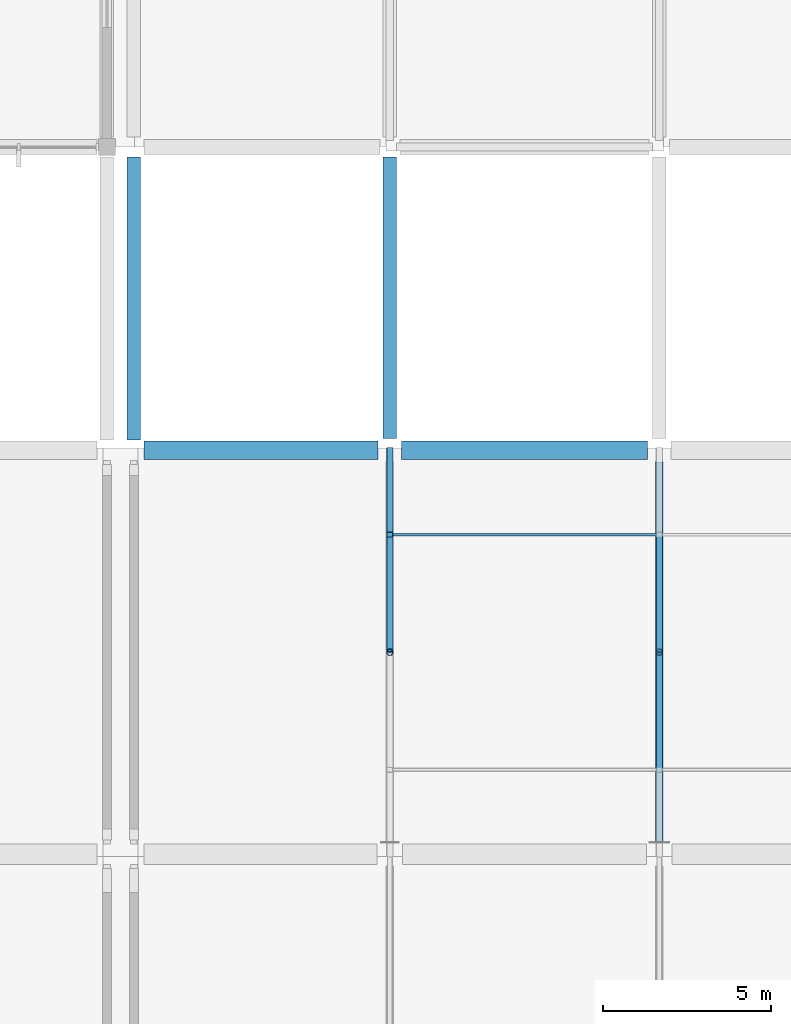
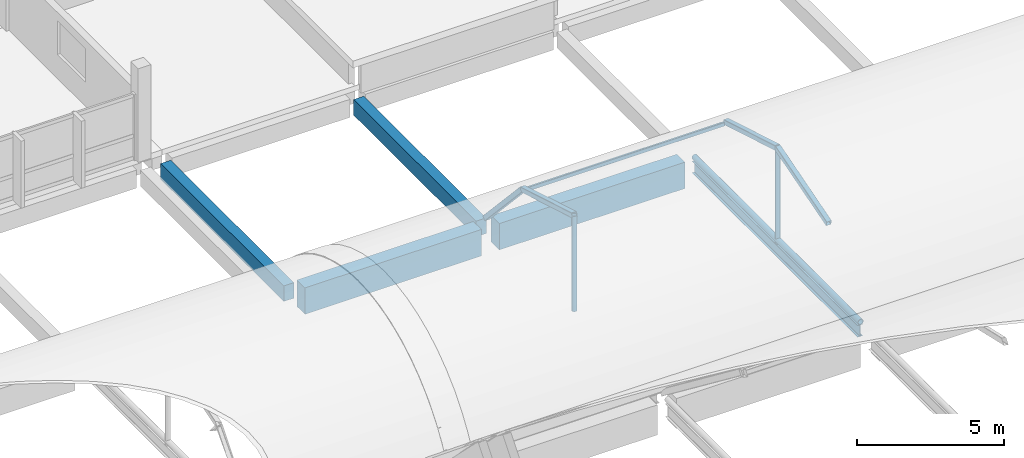
# One storey, part 36 of 57: 8 members, 5 beams.
"""IFC4 building model written with IfcOpenShell, lengths in metres."""

from ifc_helpers import new_model, si_unit, direction, frame, origin, origin_2d, place, context, subcontext, project, spatial, rectangle, hollow_rectangle, hollow_circle, i_section, extrude, material, material_profile, profile_set, type_object, element, save


model = new_model("IFC4")

# Units and contexts
model_context = context("Model", 3, precision=1e-05, world=origin(), true_north=direction((0.0, 1.0)))
body_context = subcontext(model_context, "Body", "Model", "MODEL_VIEW")
ifc_project = project(units=[si_unit("LENGTHUNIT", "METRE"), si_unit("AREAUNIT", "SQUARE_METRE"), si_unit("VOLUMEUNIT", "CUBIC_METRE"), si_unit("PLANEANGLEUNIT", "RADIAN"), si_unit("MASSUNIT", "GRAM", prefix="KILO"), si_unit("THERMODYNAMICTEMPERATUREUNIT", "KELVIN"), si_unit("POWERUNIT", "WATT")], contexts=[model_context])

# Site, building, storey
site_placement = place(None, origin())
site = spatial("IfcSite", under=ifc_project, at=site_placement, CompositionType="ELEMENT")
building_placement = place(site_placement, origin())
building = spatial("IfcBuilding", under=site, at=building_placement, Name="Kronsvod Quay Wholesale Market", CompositionType="ELEMENT")
storey_placement = place(building_placement, frame((0.0, 0.0, 13.199951171875)))
storey = spatial("IfcBuildingStorey", under=building, at=storey_placement, Name="L03", CompositionType="ELEMENT", Elevation=13.199951171875)

# Beams
ifc_material_1 = material(Name="Precast concrete C40/50", Category="concrete")
ifc_material_profile_1 = material_profile(ifc_material_1, rectangle(XDim=0.39990234375, YDim=0.64990234375, at=origin_2d()), Name="PCB400x650")
ifc_profile_set_1 = profile_set([ifc_material_profile_1], Name="Precast concrete C40/50")
beam_type_1 = type_object("IfcBeamType", Name="Beam_PCB400x650", PredefinedType="BEAM", material=ifc_profile_set_1)
beam_1_placement = place(storey_placement, frame((128.39990234375, 90.300048828125, -0.635009765625), z_axis=(0.0, 1.0, 0.0), x_axis=(-1.0, 0.0, 0.0)))
element("IfcBeam", 1, at=beam_1_placement, inside=storey, type_object=beam_type_1, Name="BMY-L03-1284-900", PredefinedType="BEAM", context=body_context, shape_type="SweptSolid", body=[
    extrude(rectangle(XDim=0.39990234375, YDim=0.64990234375, at=origin_2d()), origin(), (0.0, 0.0, 1.0), 8.39990234375),
])
beam_2_placement = place(storey_placement, frame((136.0, 90.35009765625, -0.635009765625), z_axis=(0.0, 1.0, 0.0), x_axis=(-1.0, 0.0, 0.0)))
element("IfcBeam", 2, at=beam_2_placement, inside=storey, type_object=beam_type_1, Name="BMY-L03-1360-900", PredefinedType="BEAM", context=body_context, shape_type="SweptSolid", body=[
    extrude(rectangle(XDim=0.39990234375, YDim=0.64990234375, at=origin_2d()), origin(), (0.0, 0.0, 1.0), 8.349853515625),
])
ifc_material_2 = material(Name="Precast concrete C40/50", Category="concrete")
ifc_material_profile_2 = material_profile(ifc_material_2, rectangle(XDim=0.550048828125, YDim=1.10009765625, at=origin_2d()), Name="PCVG550x1100")
ifc_profile_set_2 = profile_set([ifc_material_profile_2], Name="Precast concrete C40/50")
beam_type_2 = type_object("IfcBeamType", Name="Girder_PCVG550x1100", PredefinedType="T_BEAM", material=ifc_profile_set_2)
beam_3_placement = place(storey_placement, frame((128.699951171875, 90.0, -0.77001953125), z_axis=(1.0, 0.0, 0.0), x_axis=(0.0, 1.0, 0.0)))
element("IfcBeam", 3, at=beam_3_placement, inside=storey, type_object=beam_type_2, Name="BMX-L03-1284-900", PredefinedType="T_BEAM", context=body_context, shape_type="SweptSolid", body=[
    extrude(rectangle(XDim=0.550048828125, YDim=1.10009765625, at=origin_2d()), origin(), (0.0, 0.0, 1.0), 6.949951171875),
])
beam_4_placement = place(storey_placement, frame((136.35009765625, 90.0, -0.77001953125), z_axis=(1.0, 0.0, 0.0), x_axis=(0.0, 1.0, 0.0)))
element("IfcBeam", 4, at=beam_4_placement, inside=storey, type_object=beam_type_2, Name="BMX-L03-1360-900", PredefinedType="T_BEAM", context=body_context, shape_type="SweptSolid", body=[
    extrude(rectangle(XDim=0.550048828125, YDim=1.10009765625, at=origin_2d()), origin(), (0.0, 0.0, 1.0), 7.2998046875),
])
ifc_material_3 = material(Name="Steel S355", Category="steel")
ifc_material_profile_3 = material_profile(ifc_material_3, i_section(OverallWidth=0.198974609375, OverallDepth=0.49609375, WebThickness=0.009033203125, FlangeThickness=0.013916015625, FilletRadius=0.02001953125, at=origin_2d()), Name="50B1")
ifc_profile_set_3 = profile_set([ifc_material_profile_3], Name="Steel S355")
beam_type_3 = type_object("IfcBeamType", Name="Girder_Steel50B1", PredefinedType="T_BEAM", material=ifc_profile_set_3)
beam_5_placement = place(storey_placement, frame((144.0, 78.375, -0.468017578125), z_axis=(0.0, 1.0, 0.0), x_axis=(-1.0, 0.0, 0.0)))
element("IfcBeam", 5, at=beam_5_placement, inside=storey, type_object=beam_type_3, Name="BMY-L03-1440-780", PredefinedType="T_BEAM", context=body_context, shape_type="SweptSolid", body=[
    extrude(i_section(OverallWidth=0.198974609375, OverallDepth=0.49609375, WebThickness=0.009033203125, FlangeThickness=0.013916015625, FilletRadius=0.02001953125, at=origin_2d()), origin(), (0.0, 0.0, 1.0), 11.27490234375),
])

# Members
ifc_material_4 = material(Name="Steel S355", Category="steel")
ifc_material_profile_4 = material_profile(ifc_material_4, hollow_rectangle(XDim=0.199951171875, YDim=0.199951171875, WallThickness=0.010009765625, InnerFilletRadius=0.010009765625, OuterFilletRadius=0.02001953125, at=origin_2d()), Name="RHS200x200x10")
ifc_profile_set_4 = profile_set([ifc_material_profile_4], Name="Steel S355")
member_type_1 = type_object("IfcMemberType", Name="Member_Arch200x200", PredefinedType="RAFTER", material=ifc_profile_set_4)
member_1_placement = place(storey_placement, frame((136.0, 84.0, 3.739990234375), z_axis=(0.0, 0.95877511068, -0.284165950001), x_axis=(-1.0, 0.0, 0.0)))
element("IfcMember", 6, at=member_1_placement, inside=storey, type_object=member_type_1, Name="ARCG-SH-V2E-N-1360-2", PredefinedType="RAFTER", context=body_context, shape_type="SweptSolid", body=[
    extrude(hollow_rectangle(XDim=0.199951171875, YDim=0.199951171875, WallThickness=0.010009765625, InnerFilletRadius=0.010009765625, OuterFilletRadius=0.02001953125, at=origin_2d()), origin(), (0.0, 0.0, 1.0), 3.64111328125),
])
member_2_placement = place(storey_placement, frame((136.0, 87.490966796875, 2.705322265625), z_axis=(0.0, 0.67865576732, -0.734456499381), x_axis=(-1.0, 0.0, 0.0)))
element("IfcMember", 7, at=member_2_placement, inside=storey, type_object=member_type_1, Name="ARCG-SH-V2E-N-1360-3", PredefinedType="RAFTER", context=body_context, shape_type="SweptSolid", body=[
    extrude(hollow_rectangle(XDim=0.199951171875, YDim=0.199951171875, WallThickness=0.010009765625, InnerFilletRadius=0.010009765625, OuterFilletRadius=0.02001953125, at=origin_2d()), origin(), (0.0, 0.0, 1.0), 3.697021484375),
])
for number, where, z_axis, x_axis, name in (
    (8, (144.0, 80.509033203125, 2.705322265625), (0.0, 0.95877511068, 0.284165950001), (-1.0, 0.0, 0.0), "ARCG-SH-V2E-N-1440-1"),
    (9, (144.0, 84.0, 3.739990234375), (0.0, 0.95877511068, -0.284165950001), (-1.0, 0.0, 0.0), "ARCG-SH-V2E-N-1440-2"),
):
    element("IfcMember", number, at=place(storey_placement, frame(where, z_axis=z_axis, x_axis=x_axis)), inside=storey, type_object=member_type_1, Name=name, PredefinedType="RAFTER", context=body_context, shape_type="SweptSolid", body=[
        extrude(hollow_rectangle(XDim=0.199951171875, YDim=0.199951171875, WallThickness=0.010009765625, InnerFilletRadius=0.010009765625, OuterFilletRadius=0.02001953125, at=origin_2d()), origin(), (0.0, 0.0, 1.0), 3.64111328125),
    ])
ifc_material_5 = material(Name="Steel S355", Category="steel")
ifc_material_profile_5 = material_profile(ifc_material_5, hollow_circle(Radius=0.096923828125, WallThickness=0.008056640625, at=origin_2d()), Name="CHS194x8")
ifc_profile_set_5 = profile_set([ifc_material_profile_5], Name="Steel S355")
member_type_2 = type_object("IfcMemberType", Name="Member_Brace194x8", PredefinedType="BRACE", material=ifc_profile_set_5)
for number, where, z_axis, x_axis, name in (
    (10, (136.0, 84.0, -0.22998046875), (0.0, 0.0, 1.0), (1.0, 0.0, 0.0), "KPST-SH-V2E-N-1360"),
    (11, (144.0, 84.0, -0.22998046875), (0.0, 0.0, 1.0), (1.0, 0.0, 0.0), "KPST-SH-V2E-N-1440"),
):
    element("IfcMember", number, at=place(storey_placement, frame(where, z_axis=z_axis, x_axis=x_axis)), inside=storey, type_object=member_type_2, Name=name, PredefinedType="BRACE", context=body_context, shape_type="SweptSolid", body=[
        extrude(hollow_circle(Radius=0.096923828125, WallThickness=0.008056640625, at=origin_2d()), origin(), (0.0, 0.0, 1.0), 3.969970703125),
    ])
ifc_material_6 = material(Name="Steel S355", Category="steel")
ifc_material_profile_6 = material_profile(ifc_material_6, hollow_circle(Radius=0.109619140625, WallThickness=0.010009765625, at=origin_2d()), Name="CHS219x10")
ifc_profile_set_6 = profile_set([ifc_material_profile_6], Name="Steel S355")
member_type_3 = type_object("IfcMemberType", Name="Member_Chord219x10", PredefinedType="CHORD", material=ifc_profile_set_6)
member_3_placement = place(storey_placement, frame((144.0, 78.340087890625, -0.079833984375), z_axis=(0.0, 1.0, 0.0), x_axis=(-1.0, 0.0, 0.0)))
element("IfcMember", 12, at=member_3_placement, inside=storey, type_object=member_type_3, Name="CHDG-SH-V2E-N-1440", PredefinedType="CHORD", context=body_context, shape_type="SweptSolid", body=[
    extrude(hollow_circle(Radius=0.109619140625, WallThickness=0.010009765625, at=origin_2d()), origin(), (0.0, 0.0, 1.0), 11.31982421875),
])
ifc_material_7 = material(Name="Steel S355", Category="steel")
ifc_material_profile_7 = material_profile(ifc_material_7, hollow_rectangle(XDim=0.080078125, YDim=0.159912109375, WallThickness=0.006103515625, InnerFilletRadius=0.006103515625, OuterFilletRadius=0.011962890625, at=origin_2d()), Name="RHS160x80x6")
ifc_profile_set_7 = profile_set([ifc_material_profile_7], Name="Steel S355")
member_type_4 = type_object("IfcMemberType", Name="Member_Purlin160x80", PredefinedType="PURLIN", material=ifc_profile_set_7)
member_4_placement = place(storey_placement, frame((136.080078125, 87.490966796875, 2.645263671875), z_axis=(1.0, 0.0, 0.0), x_axis=(0.0, 1.0, 0.0)))
element("IfcMember", 13, at=member_4_placement, inside=storey, type_object=member_type_4, Name="PRLG-SH-V2E-N-0-1", PredefinedType="PURLIN", context=body_context, shape_type="SweptSolid", body=[
    extrude(hollow_rectangle(XDim=0.080078125, YDim=0.159912109375, WallThickness=0.006103515625, InnerFilletRadius=0.006103515625, OuterFilletRadius=0.011962890625, at=origin_2d()), origin(), (0.0, 0.0, 1.0), 7.83984375),
])

save(model, "model.ifc")
